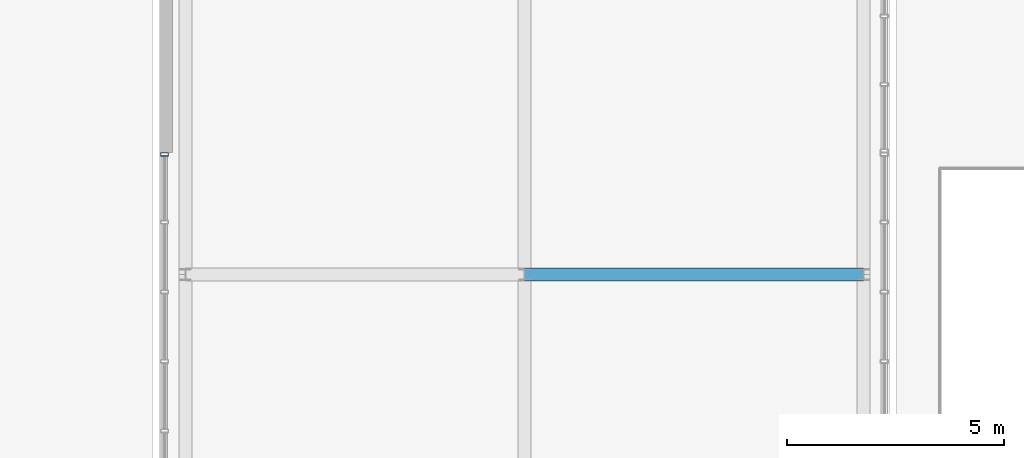
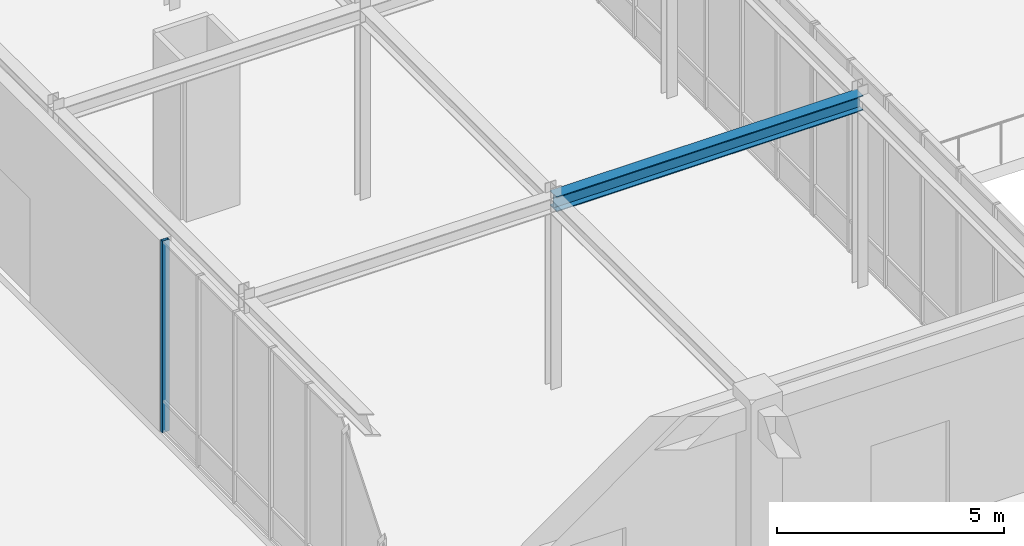
# One storey, part 18 of 122: 1 beam, 1 member, 1 element without a shape of its own.
"""IFC4 building model written with IfcOpenShell, lengths in metres."""

from ifc_helpers import new_model, si_unit, direction, frame, origin, origin_2d, place, context, subcontext, project, spatial, hollow_rectangle, i_section, extrude, material, layer, layer_set, material_profile, profile_set, type_object, element, aggregate, save


model = new_model("IFC4")

# Units and contexts
model_context = context("Model", 3, precision=1e-05, world=origin(), true_north=direction((0.0, 1.0)))
body_context = subcontext(model_context, "Body", "Model", "MODEL_VIEW")
ifc_project = project(units=[si_unit("LENGTHUNIT", "METRE"), si_unit("AREAUNIT", "SQUARE_METRE"), si_unit("VOLUMEUNIT", "CUBIC_METRE"), si_unit("PLANEANGLEUNIT", "RADIAN"), si_unit("MASSUNIT", "GRAM", prefix="KILO")], contexts=[model_context])

# Site, building, storey
site_placement = place(None, origin())
site = spatial("IfcSite", under=ifc_project, at=site_placement, CompositionType="ELEMENT")
building_placement = place(site_placement, origin())
building = spatial("IfcBuilding", under=site, at=building_placement, Name="Zayran Congress Hotel", CompositionType="ELEMENT")
storey_placement = place(building_placement, origin())
storey = spatial("IfcBuildingStorey", under=building, at=storey_placement, Name="L00", CompositionType="ELEMENT", Elevation=0.0)

# Beam
ifc_material_1 = material(Name="Steel S355", Category="steel")
ifc_material_profile_1 = material_profile(ifc_material_1, i_section(OverallWidth=0.300048828125, OverallDepth=0.39990234375, WebThickness=0.013427734375, FlangeThickness=0.02392578125, at=origin_2d()), Name="HEB 400")
ifc_profile_set_1 = profile_set([ifc_material_profile_1], Name="Steel S355")
beam_type = type_object("IfcBeamType", Name="TP-BM-10", PredefinedType="BEAM", material=ifc_profile_set_1)
beam_placement = place(storey_placement, frame((84.0, 42.39990234375, 4.949951171875), z_axis=(1.0, 0.0, 0.0), x_axis=(0.0, 1.0, 0.0)))
element("IfcBeam", 1, at=beam_placement, inside=storey, type_object=beam_type, Name="BM-BR2-L00-2441", PredefinedType="BEAM", context=body_context, shape_type="SweptSolid", body=[
    extrude(i_section(OverallWidth=0.300048828125, OverallDepth=0.39990234375, WebThickness=0.013427734375, FlangeThickness=0.02392578125, at=origin_2d()), origin(), (0.0, 0.0, 1.0), 7.800048828125),
])

# Curtain wall, member
ifc_material_2 = material(Name="Anodised aluminium and low-E insulated glass", Category="aluminium")
ifc_layer = layer(ifc_material_2, 0.179931640625)
ifc_layer_set = layer_set([ifc_layer], Name="Anodised aluminium and low-E insulated glass")
curtain_wall_type = type_object("IfcCurtainWallType", Name="CW-BR2-L00-CW-BR2-11200-5150", PredefinedType="USERDEFINED", material=ifc_layer_set)
curtain_wall_placement = place(storey_placement, origin())
curtain_wall = element("IfcCurtainWall", 2, at=curtain_wall_placement, inside=storey, type_object=curtain_wall_type, Name="CW-BR2W-L00-0", ObjectType="CURTAIN WALL", PredefinedType="USERDEFINED")
ifc_material_3 = material(Name="Anodised aluminium framing", Category="aluminium")
ifc_material_profile_2 = material_profile(ifc_material_3, hollow_rectangle(XDim=0.080078125, YDim=0.179931640625, WallThickness=0.0048828125, at=origin_2d()), Name="RHS 180x80x5")
ifc_profile_set_2 = profile_set([ifc_material_profile_2], Name="Anodised aluminium framing")
member_type = type_object("IfcMemberType", Name="TP-CWM-01", PredefinedType="MULLION", material=ifc_profile_set_2)
member_placement = place(storey_placement, frame((75.719970703125, 45.159912109375, 0.0), z_axis=(0.0, 0.0, 1.0), x_axis=(0.0, 1.0, 0.0)))
member = element("IfcMember", 3, at=member_placement, type_object=member_type, Name="CW-BR2W-L00-0-M00", PredefinedType="MULLION", context=body_context, shape_type="SweptSolid", body=[
    extrude(hollow_rectangle(XDim=0.080078125, YDim=0.179931640625, WallThickness=0.0048828125, at=origin_2d()), origin(), (0.0, 0.0, 1.0), 5.14990234375),
])
aggregate(curtain_wall, [member])

save(model, "model.ifc")
